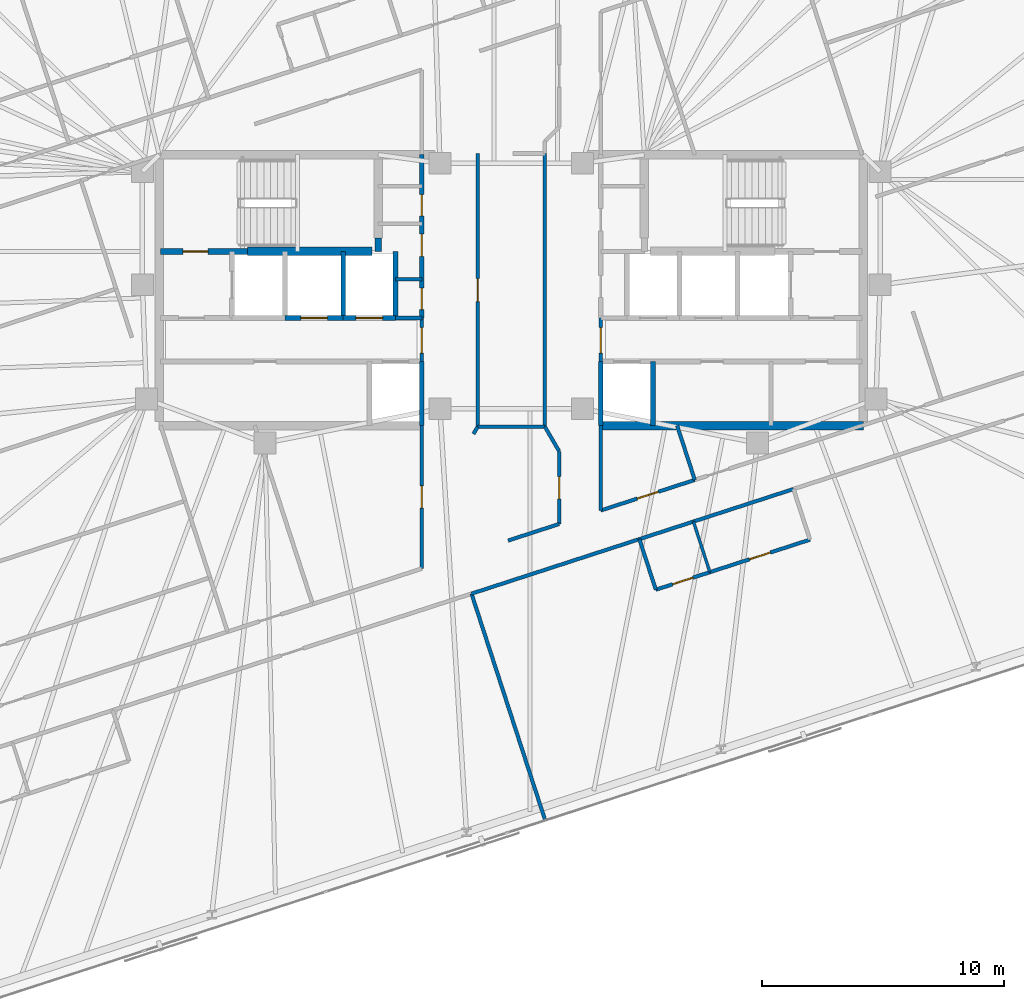
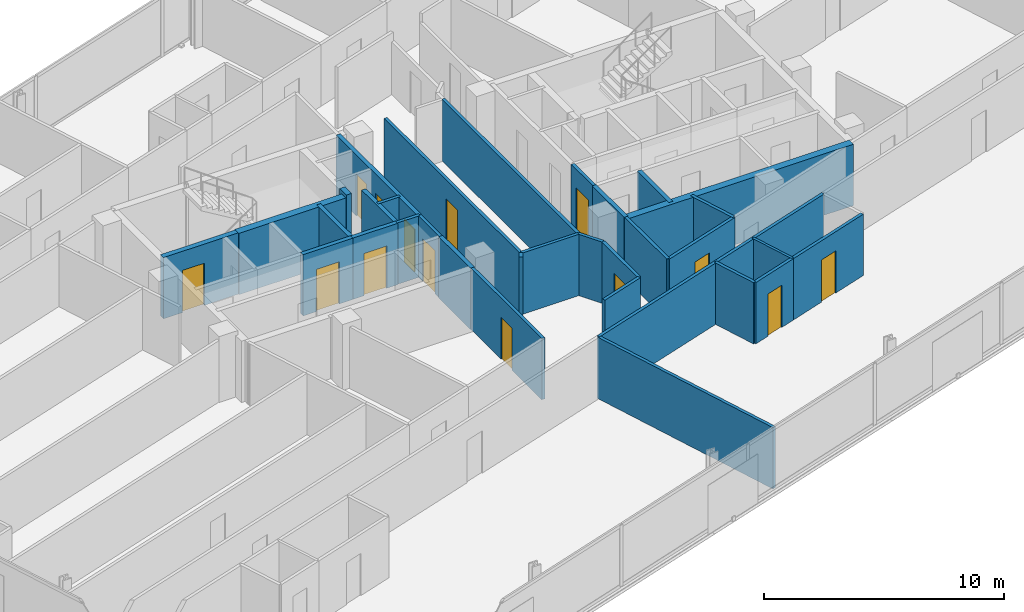
# One storey, part 14 of 19: 35 walls, 14 doors, 14 openings.
"""IFC4 building model written with IfcOpenShell, lengths in metres."""

from ifc_helpers import new_model, si_unit, direction, frame, frame_2d, origin, place, context, subcontext, project, spatial, rectangle, extrude, material, layer, layer_set, type_object, element, fill, save


model = new_model("IFC4")

# Units and contexts
model_context = context("Model", 3, precision=1e-05, world=origin(), true_north=direction((0.0, 1.0)))
body_context = subcontext(model_context, "Body", "Model", "MODEL_VIEW")
ifc_project = project(units=[si_unit("LENGTHUNIT", "METRE"), si_unit("AREAUNIT", "SQUARE_METRE"), si_unit("VOLUMEUNIT", "CUBIC_METRE"), si_unit("PLANEANGLEUNIT", "RADIAN"), si_unit("MASSUNIT", "GRAM", prefix="KILO")], contexts=[model_context])

# Site, building, storey
site_placement = place(None, origin())
site = spatial("IfcSite", under=ifc_project, at=site_placement, CompositionType="ELEMENT")
building_placement = place(site_placement, origin())
building = spatial("IfcBuilding", under=site, at=building_placement, Name="Menara Jurai Vektor", CompositionType="ELEMENT")
storey_placement = place(building_placement, frame((0.0, 0.0, 210.89990234375)))
storey = spatial("IfcBuildingStorey", under=building, at=storey_placement, Name="L55", CompositionType="ELEMENT", Elevation=210.89990234375)

# Wall, opening, door
ifc_material_1 = material(Name="Concrete C40/50", Category="concrete")
ifc_layer_1 = layer(ifc_material_1, 0.25)
ifc_layer_set_1 = layer_set([ifc_layer_1], Name="Concrete C40/50")
wall_type_1 = type_object("IfcWallType", Name="INT-WALL-CORE-250", PredefinedType="STANDARD", material=ifc_layer_set_1)
wall_1_placement = place(storey_placement, frame((-14.5, 1.60009765625, 0.0), z_axis=(0.0, 0.0, 1.0), x_axis=(1.0, 0.0, 0.0)))
wall_1 = element("IfcWall", 1, at=wall_1_placement, inside=storey, type_object=wall_type_1, Name="Interior Wall IW-250 L55", PredefinedType="STANDARD", context=body_context, shape_type="SweptSolid", body=[
    extrude(rectangle(XDim=3.60009765625, YDim=0.25, at=frame_2d((1.800048828125, 0.0))), origin(), (0.0, 0.0, 1.0), 3.125),
])
opening_1_placement = place(wall_1_placement, frame((0.919921875, 0.0, 0.0)))
opening_1 = element("IfcOpeningElement", 2, at=opening_1_placement, cuts=wall_1, Name="Opening D-L55-ST1", PredefinedType="OPENING", context=body_context, shape_type="SweptSolid", body=[
    extrude(rectangle(XDim=1.050048828125, YDim=2.14990234375, at=frame_2d((0.52490234375, 1.074951171875))), frame((0.0, 0.135009765625, 0.0), z_axis=(0.0, -1.0, 0.0), x_axis=(1.0, 0.0, 0.0)), (0.0, 0.0, 1.0), 0.27001953125),
])
ifc_material_2 = material(Name="Fire-Rated Steel Door", Category="steel")
door_type_1 = type_object("IfcDoorType", Name="DR-STAIR-1050", OperationType="NOTDEFINED", PredefinedType="DOOR", material=ifc_material_2)
door_1_placement = place(opening_1_placement, origin())
door_1 = element("IfcDoor", 3, at=door_1_placement, inside=storey, type_object=door_type_1, Name="Exit Stair ST1 Door L55", OperationType="SINGLE_SWING_RIGHT", OverallHeight=2.14990234375, OverallWidth=1.050048828125, PredefinedType="DOOR", context=body_context, shape_type="SweptSolid", body=[
    extrude(rectangle(XDim=1.050048828125, YDim=2.14990234375, at=frame_2d((0.52490234375, 1.074951171875))), frame((0.0, 0.02490234375, 0.0), z_axis=(0.0, -1.0, 0.0), x_axis=(1.0, 0.0, 0.0)), (0.0, 0.0, 1.0), 0.050048828125),
])
fill(opening_1, door_1)

# Wall
wall_2_placement = place(storey_placement, frame((-5.5, 1.60009765625, 0.0), z_axis=(0.0, 0.0, 1.0), x_axis=(0.0, 1.0, 0.0)))
element("IfcWall", 4, at=wall_2_placement, inside=storey, type_object=wall_type_1, Name="Interior Wall IW-250 L55", PredefinedType="STANDARD", context=body_context, shape_type="SweptSolid", body=[
    extrude(rectangle(XDim=0.5498046875, YDim=0.25, at=frame_2d((0.27490234375, 0.0))), origin(), (0.0, 0.0, 1.0), 3.125),
])

# Wall, opening, door
ifc_material_3 = material(Name="Gypsum Fireboard Partition", Category="gypsum")
ifc_layer_2 = layer(ifc_material_3, 0.14990234375)
ifc_layer_set_2 = layer_set([ifc_layer_2], Name="Gypsum Fireboard Partition")
wall_type_2 = type_object("IfcWallType", Name="INT-WALL-CORR-150", PredefinedType="PARTITIONING", material=ifc_layer_set_2)
wall_3_placement = place(storey_placement, frame((-3.699951171875, -2.949951171875, 0.0), z_axis=(0.0, 0.0, 1.0), x_axis=(0.0, 1.0, 0.0)))
wall_3 = element("IfcWall", 5, at=wall_3_placement, inside=storey, type_object=wall_type_2, Name="Interior Wall IW-150 L55", PredefinedType="PARTITIONING", context=body_context, shape_type="SweptSolid", body=[
    extrude(rectangle(XDim=1.800048828125, YDim=0.14990234375, at=frame_2d((0.89990234375, 0.0))), origin(), (0.0, 0.0, 1.0), 3.125),
])
opening_2_placement = place(wall_3_placement, frame((0.35009765625, 0.0, 0.0)))
opening_2 = element("IfcOpeningElement", 6, at=opening_2_placement, cuts=wall_3, Name="Opening D-L55-LLW", PredefinedType="OPENING", context=body_context, shape_type="SweptSolid", body=[
    extrude(rectangle(XDim=1.050048828125, YDim=2.179931640625, at=frame_2d((0.52490234375, 1.08984375))), frame((0.0, 0.0849609375, 0.0), z_axis=(0.0, -1.0, 0.0), x_axis=(1.0, 0.0, 0.0)), (0.0, 0.0, 1.0), 0.169921875),
])
ifc_material_4 = material(Name="Fire-Rated Timber Door", Category="wood")
door_type_2 = type_object("IfcDoorType", Name="DR-LOBBY-1050", OperationType="NOTDEFINED", PredefinedType="DOOR", material=ifc_material_4)
door_2_placement = place(opening_2_placement, origin())
door_2 = element("IfcDoor", 7, at=door_2_placement, inside=storey, type_object=door_type_2, Name="Lift Lobby Corridor Door W L55", OperationType="SINGLE_SWING_LEFT", OverallHeight=2.179931640625, OverallWidth=1.050048828125, PredefinedType="DOOR", context=body_context, shape_type="SweptSolid", body=[
    extrude(rectangle(XDim=1.050048828125, YDim=2.179931640625, at=frame_2d((0.52490234375, 1.08984375))), frame((0.0, 0.02490234375, 0.0), z_axis=(0.0, -1.0, 0.0), x_axis=(1.0, 0.0, 0.0)), (0.0, 0.0, 1.0), 0.050048828125),
])
fill(opening_2, door_2)

# Wall
wall_4_placement = place(storey_placement, frame((-4.7900390625, -1.14990234375, 0.0), z_axis=(0.0, 0.0, 1.0), x_axis=(1.0, 0.0, 0.0)))
element("IfcWall", 8, at=wall_4_placement, inside=storey, type_object=wall_type_2, Name="Interior Wall IW-150 L55", PredefinedType="PARTITIONING", context=body_context, shape_type="SweptSolid", body=[
    extrude(rectangle(XDim=1.090087890625, YDim=0.14990234375, at=frame_2d((0.544921875, 0.0))), origin(), (0.0, 0.0, 1.0), 3.125),
])

# Wall, opening, door
wall_5_placement = place(storey_placement, frame((3.699951171875, -2.949951171875, 0.0), z_axis=(0.0, 0.0, 1.0), x_axis=(0.0, 1.0, 0.0)))
wall_5 = element("IfcWall", 9, at=wall_5_placement, inside=storey, type_object=wall_type_2, Name="Interior Wall IW-150 L55", PredefinedType="PARTITIONING", context=body_context, shape_type="SweptSolid", body=[
    extrude(rectangle(XDim=1.800048828125, YDim=0.14990234375, at=frame_2d((0.89990234375, 0.0))), origin(), (0.0, 0.0, 1.0), 3.125),
])
opening_3_placement = place(wall_5_placement, frame((0.35009765625, 0.0, 0.0)))
opening_3 = element("IfcOpeningElement", 10, at=opening_3_placement, cuts=wall_5, Name="Opening D-L55-LLE", PredefinedType="OPENING", context=body_context, shape_type="SweptSolid", body=[
    extrude(rectangle(XDim=1.050048828125, YDim=2.179931640625, at=frame_2d((0.52490234375, 1.08984375))), frame((0.0, 0.0849609375, 0.0), z_axis=(0.0, -1.0, 0.0), x_axis=(1.0, 0.0, 0.0)), (0.0, 0.0, 1.0), 0.169921875),
])
door_3_placement = place(opening_3_placement, frame((1.050048828125, 0.0, 0.0), z_axis=(0.0, 0.0, 1.0), x_axis=(-1.0, 0.0, 0.0)))
door_3 = element("IfcDoor", 11, at=door_3_placement, inside=storey, type_object=door_type_2, Name="Lift Lobby Corridor Door E L55", OperationType="SINGLE_SWING_RIGHT", OverallHeight=2.179931640625, OverallWidth=1.050048828125, PredefinedType="DOOR", context=body_context, shape_type="SweptSolid", body=[
    extrude(rectangle(XDim=1.050048828125, YDim=2.179931640625, at=frame_2d((0.52490234375, 1.08984375))), frame((0.0, 0.02490234375, 0.0), z_axis=(0.0, -1.0, 0.0), x_axis=(1.0, 0.0, 0.0)), (0.0, 0.0, 1.0), 0.050048828125),
])
fill(opening_3, door_3)

# Wall
wall_6_placement = place(storey_placement, frame((-4.7900390625, 0.449951171875, 0.0), z_axis=(0.0, 0.0, 1.0), x_axis=(1.0, 0.0, 0.0)))
element("IfcWall", 12, at=wall_6_placement, inside=storey, type_object=wall_type_2, Name="Interior Wall IW-150 L55", PredefinedType="PARTITIONING", context=body_context, shape_type="SweptSolid", body=[
    extrude(rectangle(XDim=1.090087890625, YDim=0.14990234375, at=frame_2d((0.544921875, 0.0))), origin(), (0.0, 0.0, 1.0), 3.125),
])

# Wall, opening, door
wall_7_placement = place(storey_placement, frame((-1.390625, -5.650146484375, 0.0), z_axis=(0.0, 0.0, 1.0), x_axis=(-8.6422954e-05, 0.999999996266, 0.0)))
wall_7 = element("IfcWall", 13, at=wall_7_placement, inside=storey, type_object=wall_type_2, Name="Interior Wall IW-150 L55", PredefinedType="PARTITIONING", context=body_context, shape_type="SweptSolid", body=[
    extrude(rectangle(XDim=11.2998046875, YDim=0.14990234375, at=frame_2d((5.64990234375, 0.0))), origin(), (0.0, 0.0, 1.0), 3.125),
])
opening_4_placement = place(wall_7_placement, frame((5.1748046875, 0.0, 0.0)))
opening_4 = element("IfcOpeningElement", 14, at=opening_4_placement, cuts=wall_7, Name="Opening D55-09", PredefinedType="OPENING", context=body_context, shape_type="SweptSolid", body=[
    extrude(rectangle(XDim=0.949951171875, YDim=2.14990234375, at=frame_2d((0.47509765625, 1.074951171875))), frame((0.0, 0.0849609375, 0.0), z_axis=(0.0, -1.0, 0.0), x_axis=(1.0, 0.0, 0.0)), (0.0, 0.0, 1.0), 0.169921875),
])
ifc_material_5 = material(Name="Solid Core Timber Fire Door", Category="wood")
door_type_3 = type_object("IfcDoorType", Name="DR-ENTRY-950", OperationType="NOTDEFINED", PredefinedType="DOOR", material=ifc_material_5)
door_4_placement = place(opening_4_placement, origin())
door_4 = element("IfcDoor", 15, at=door_4_placement, inside=storey, type_object=door_type_3, Name="Interior Door D55-09", OperationType="SINGLE_SWING_LEFT", OverallHeight=2.14990234375, OverallWidth=0.949951171875, PredefinedType="DOOR", context=body_context, shape_type="SweptSolid", body=[
    extrude(rectangle(XDim=0.949951171875, YDim=2.14990234375, at=frame_2d((0.47509765625, 1.074951171875))), frame((0.0, 0.02490234375, 0.0), z_axis=(0.0, -1.0, 0.0), x_axis=(1.0, 0.0, 0.0)), (0.0, 0.0, 1.0), 0.050048828125),
])
fill(opening_4, door_4)

# Walls
wall_8_placement = place(storey_placement, frame((1.39111328125, -5.6484375, 0.0), z_axis=(0.0, 0.0, 1.0), x_axis=(-4.3218947e-05, 0.999999999066, 0.0)))
element("IfcWall", 16, at=wall_8_placement, inside=storey, type_object=wall_type_2, Name="Interior Wall IW-150 L55", PredefinedType="PARTITIONING", context=body_context, shape_type="SweptSolid", body=[
    extrude(rectangle(XDim=11.2978515625, YDim=0.14990234375, at=frame_2d((5.64892578125, 0.0))), origin(), (0.0, 0.0, 1.0), 3.125),
])
wall_9_placement = place(storey_placement, frame((-1.643310546875, -12.548828125, 0.0), z_axis=(0.0, 0.0, 1.0), x_axis=(0.951058161173, 0.309011931914, 0.0)))
element("IfcWall", 17, at=wall_9_placement, inside=storey, type_object=wall_type_2, Name="Interior Wall IW-150 L55", PredefinedType="PARTITIONING", context=body_context, shape_type="SweptSolid", body=[
    extrude(rectangle(XDim=7.297119140625, YDim=0.14990234375, at=frame_2d((3.6484375, 0.0))), origin(), (0.0, 0.0, 1.0), 3.125),
])
wall_10_placement = place(storey_placement, frame((5.296630859375, -10.2939453125, 0.0), z_axis=(0.0, 0.0, 1.0), x_axis=(0.951066131077, 0.308987401554, 0.0)))
element("IfcWall", 18, at=wall_10_placement, inside=storey, type_object=wall_type_2, Name="Interior Wall IW-150 L55", PredefinedType="PARTITIONING", context=body_context, shape_type="SweptSolid", body=[
    extrude(rectangle(XDim=2.349853515625, YDim=0.14990234375, at=frame_2d((1.1748046875, 0.0))), origin(), (0.0, 0.0, 1.0), 3.125),
])
wall_11_placement = place(storey_placement, frame((7.531494140625, -9.56787109375, 0.0), z_axis=(0.0, 0.0, 1.0), x_axis=(0.951041492154, 0.309063230101, 0.0)))
element("IfcWall", 19, at=wall_11_placement, inside=storey, type_object=wall_type_2, Name="Interior Wall IW-150 L55", PredefinedType="PARTITIONING", context=body_context, shape_type="SweptSolid", body=[
    extrude(rectangle(XDim=4.35009765625, YDim=0.14990234375, at=frame_2d((2.175048828125, 0.0))), origin(), (0.0, 0.0, 1.0), 3.125),
])
wall_12_placement = place(storey_placement, frame((3.700439453125, -9.109130859375, 0.0), z_axis=(0.0, 0.0, 1.0), x_axis=(-0.000139130433, 0.999999990321, 0.0)))
element("IfcWall", 20, at=wall_12_placement, inside=storey, type_object=wall_type_2, Name="Interior Wall IW-150 L55", PredefinedType="PARTITIONING", context=body_context, shape_type="SweptSolid", body=[
    extrude(rectangle(XDim=3.509521484375, YDim=0.14990234375, at=frame_2d((1.7548828125, 0.0))), origin(), (0.0, 0.0, 1.0), 3.125),
])

# Wall, opening, door
wall_13_placement = place(storey_placement, frame((3.700439453125, -9.109130859375, 0.0), z_axis=(0.0, 0.0, 1.0), x_axis=(0.95106259184, 0.308998295145, 0.0)))
wall_13 = element("IfcWall", 21, at=wall_13_placement, inside=storey, type_object=wall_type_2, Name="Interior Wall IW-150 L55", PredefinedType="PARTITIONING", context=body_context, shape_type="SweptSolid", body=[
    extrude(rectangle(XDim=4.087890625, YDim=0.14990234375, at=frame_2d((2.0439453125, 0.0))), origin(), (0.0, 0.0, 1.0), 3.125),
])
opening_5_placement = place(wall_13_placement, frame((1.583984375, 0.0, 0.0)))
opening_5 = element("IfcOpeningElement", 22, at=opening_5_placement, cuts=wall_13, Name="Opening D55-32", PredefinedType="OPENING", context=body_context, shape_type="SweptSolid", body=[
    extrude(rectangle(XDim=0.919921875, YDim=2.14990234375, at=frame_2d((0.4599609375, 1.074951171875))), frame((0.0, 0.0849609375, 0.0), z_axis=(0.0, -1.0, 0.0), x_axis=(1.0, 0.0, 0.0)), (0.0, 0.0, 1.0), 0.169921875),
])
door_5_placement = place(opening_5_placement, origin())
door_5 = element("IfcDoor", 23, at=door_5_placement, inside=storey, type_object=door_type_3, Name="Interior Door D55-32", OperationType="SINGLE_SWING_RIGHT", OverallHeight=2.14990234375, OverallWidth=0.919921875, PredefinedType="DOOR", context=body_context, shape_type="SweptSolid", body=[
    extrude(rectangle(XDim=0.919921875, YDim=2.14990234375, at=frame_2d((0.4599609375, 1.074951171875))), frame((0.0, 0.02490234375, 0.0), z_axis=(0.0, -1.0, 0.0), x_axis=(1.0, 0.0, 0.0)), (0.0, 0.0, 1.0), 0.050048828125),
])
fill(opening_5, door_5)

# Walls
wall_14_placement = place(storey_placement, frame((-0.12939453125, -10.353515625, 0.0), z_axis=(0.0, 0.0, 1.0), x_axis=(0.951066420845, 0.308986509643, 0.0)))
element("IfcWall", 24, at=wall_14_placement, inside=storey, type_object=wall_type_2, Name="Interior Wall IW-150 L55", PredefinedType="PARTITIONING", context=body_context, shape_type="SweptSolid", body=[
    extrude(rectangle(XDim=2.218017578125, YDim=0.14990234375, at=frame_2d((1.10888671875, 0.0))), origin(), (0.0, 0.0, 1.0), 3.125),
])
wall_15_placement = place(storey_placement, frame((-1.5625, -5.943603515625, 0.0), z_axis=(0.0, 0.0, 1.0), x_axis=(0.505387839696, 0.862892305845, 0.0)))
element("IfcWall", 25, at=wall_15_placement, inside=storey, type_object=wall_type_2, Name="Interior Wall IW-150 L55", PredefinedType="PARTITIONING", context=body_context, shape_type="SweptSolid", body=[
    extrude(rectangle(XDim=0.340087890625, YDim=0.14990234375, at=frame_2d((0.169921875, 0.0))), origin(), (0.0, 0.0, 1.0), 3.125),
])

# Wall, opening, door
wall_16_placement = place(storey_placement, frame((1.97998046875, -9.668212890625, 0.0), z_axis=(0.0, 0.0, 1.0), x_axis=(8.1241368e-05, 0.9999999967, 0.0)))
wall_16 = element("IfcWall", 26, at=wall_16_placement, inside=storey, type_object=wall_type_2, Name="Interior Wall IW-150 L55", PredefinedType="PARTITIONING", context=body_context, shape_type="SweptSolid", body=[
    extrude(rectangle(XDim=3.005126953125, YDim=0.14990234375, at=frame_2d((1.50244140625, 0.0))), origin(), (0.0, 0.0, 1.0), 3.125),
])
opening_6_placement = place(wall_16_placement, frame((1.04248046875, 0.0, 0.0)))
opening_6 = element("IfcOpeningElement", 27, at=opening_6_placement, cuts=wall_16, Name="Opening D55-34", PredefinedType="OPENING", context=body_context, shape_type="SweptSolid", body=[
    extrude(rectangle(XDim=0.919921875, YDim=2.14990234375, at=frame_2d((0.4599609375, 1.074951171875))), frame((0.0, 0.0849609375, 0.0), z_axis=(0.0, -1.0, 0.0), x_axis=(1.0, 0.0, 0.0)), (0.0, 0.0, 1.0), 0.169921875),
])
door_6_placement = place(opening_6_placement, origin())
door_6 = element("IfcDoor", 28, at=door_6_placement, inside=storey, type_object=door_type_3, Name="Interior Door D55-34", OperationType="SINGLE_SWING_RIGHT", OverallHeight=2.14990234375, OverallWidth=0.919921875, PredefinedType="DOOR", context=body_context, shape_type="SweptSolid", body=[
    extrude(rectangle(XDim=0.919921875, YDim=2.14990234375, at=frame_2d((0.4599609375, 1.074951171875))), frame((0.0, 0.02490234375, 0.0), z_axis=(0.0, -1.0, 0.0), x_axis=(1.0, 0.0, 0.0)), (0.0, 0.0, 1.0), 0.050048828125),
])
fill(opening_6, door_6)

# Wall
wall_17_placement = place(storey_placement, frame((1.391357421875, -5.6494140625, 0.0), z_axis=(0.0, 0.0, 1.0), x_axis=(0.502522642426, -0.864564048437, 0.0)))
element("IfcWall", 29, at=wall_17_placement, inside=storey, type_object=wall_type_2, Name="Interior Wall IW-150 L55", PredefinedType="PARTITIONING", context=body_context, shape_type="SweptSolid", body=[
    extrude(rectangle(XDim=1.17138671875, YDim=0.14990234375, at=frame_2d((0.585693359375, 0.0))), origin(), (0.0, 0.0, 1.0), 3.125),
])

# Wall, opening, door
wall_18_placement = place(storey_placement, frame((-3.69970703125, -11.513671875, 0.0), z_axis=(0.0, 0.0, 1.0), x_axis=(-8.2572974e-05, 0.999999996591, 0.0)))
wall_18 = element("IfcWall", 30, at=wall_18_placement, inside=storey, type_object=wall_type_2, Name="Interior Wall IW-150 L55", PredefinedType="PARTITIONING", context=body_context, shape_type="SweptSolid", body=[
    extrude(rectangle(XDim=5.913330078125, YDim=0.14990234375, at=frame_2d((2.95654296875, 0.0))), origin(), (0.0, 0.0, 1.0), 3.125),
])
opening_7_placement = place(wall_18_placement, frame((2.49658203125, 0.0, 0.0)))
opening_7 = element("IfcOpeningElement", 31, at=opening_7_placement, cuts=wall_18, Name="Opening D55-37", PredefinedType="OPENING", context=body_context, shape_type="SweptSolid", body=[
    extrude(rectangle(XDim=0.919921875, YDim=2.14990234375, at=frame_2d((0.4599609375, 1.074951171875))), frame((0.0, 0.0849609375, 0.0), z_axis=(0.0, -1.0, 0.0), x_axis=(1.0, 0.0, 0.0)), (0.0, 0.0, 1.0), 0.169921875),
])
door_7_placement = place(opening_7_placement, origin())
door_7 = element("IfcDoor", 32, at=door_7_placement, inside=storey, type_object=door_type_3, Name="Interior Door D55-37", OperationType="SINGLE_SWING_LEFT", OverallHeight=2.14990234375, OverallWidth=0.919921875, PredefinedType="DOOR", context=body_context, shape_type="SweptSolid", body=[
    extrude(rectangle(XDim=0.919921875, YDim=2.14990234375, at=frame_2d((0.4599609375, 1.074951171875))), frame((0.0, 0.02490234375, 0.0), z_axis=(0.0, -1.0, 0.0), x_axis=(1.0, 0.0, 0.0)), (0.0, 0.0, 1.0), 0.050048828125),
])
fill(opening_7, door_7)

# Walls
wall_19_placement = place(storey_placement, frame((-1.390625, -5.650146484375, 0.0), z_axis=(0.0, 0.0, 1.0), x_axis=(0.999999965344, 0.000263273356, 0.0)))
element("IfcWall", 33, at=wall_19_placement, inside=storey, type_object=wall_type_2, Name="Interior Wall IW-150 L55", PredefinedType="PARTITIONING", context=body_context, shape_type="SweptSolid", body=[
    extrude(rectangle(XDim=2.781982421875, YDim=0.14990234375, at=frame_2d((1.39111328125, 0.0))), origin(), (0.0, 0.0, 1.0), 3.125),
])
wall_20_placement = place(storey_placement, frame((1.404296875, -21.92822265625, 0.0), z_axis=(0.0, 0.0, 1.0), x_axis=(-0.309022258842, 0.95105480575, 0.0)))
element("IfcWall", 34, at=wall_20_placement, inside=storey, type_object=wall_type_2, Name="Interior Wall IW-150 L55", PredefinedType="PARTITIONING", context=body_context, shape_type="SweptSolid", body=[
    extrude(rectangle(XDim=9.862060546875, YDim=0.14990234375, at=frame_2d((4.93115234375, 0.0))), origin(), (0.0, 0.0, 1.0), 3.125),
])
wall_21_placement = place(storey_placement, frame((5.9765625, -12.38623046875, 0.0), z_axis=(0.0, 0.0, 1.0), x_axis=(-0.309060979314, 0.951042223598, 0.0)))
element("IfcWall", 35, at=wall_21_placement, inside=storey, type_object=wall_type_2, Name="Interior Wall IW-150 L55", PredefinedType="PARTITIONING", context=body_context, shape_type="SweptSolid", body=[
    extrude(rectangle(XDim=2.199951171875, YDim=0.14990234375, at=frame_2d((1.10009765625, 0.0))), origin(), (0.0, 0.0, 1.0), 3.125),
])

# Wall, opening, door
wall_22_placement = place(storey_placement, frame((5.9765625, -12.38623046875, 0.0), z_axis=(0.0, 0.0, 1.0), x_axis=(0.951066131077, 0.308987401554, 0.0)))
wall_22 = element("IfcWall", 36, at=wall_22_placement, inside=storey, type_object=wall_type_2, Name="Interior Wall IW-150 L55", PredefinedType="PARTITIONING", context=body_context, shape_type="SweptSolid", body=[
    extrude(rectangle(XDim=2.349853515625, YDim=0.14990234375, at=frame_2d((1.1748046875, 0.0))), origin(), (0.0, 0.0, 1.0), 3.125),
])
opening_8_placement = place(wall_22_placement, frame((0.735107421875, 0.0, 0.0)))
opening_8 = element("IfcOpeningElement", 37, at=opening_8_placement, cuts=wall_22, Name="Opening D55-23", PredefinedType="OPENING", context=body_context, shape_type="SweptSolid", body=[
    extrude(rectangle(XDim=0.8798828125, YDim=2.14990234375, at=frame_2d((0.43994140625, 1.074951171875))), frame((0.0, 0.0849609375, 0.0), z_axis=(0.0, -1.0, 0.0), x_axis=(1.0, 0.0, 0.0)), (0.0, 0.0, 1.0), 0.169921875),
])
ifc_material_6 = material(Name="Moisture-Resistant Timber Door", Category="wood")
door_type_4 = type_object("IfcDoorType", Name="DR-BATH-880", OperationType="NOTDEFINED", PredefinedType="DOOR", material=ifc_material_6)
door_8_placement = place(opening_8_placement, origin())
door_8 = element("IfcDoor", 38, at=door_8_placement, inside=storey, type_object=door_type_4, Name="Interior Door D55-23", OperationType="SINGLE_SWING_LEFT", OverallHeight=2.14990234375, OverallWidth=0.8798828125, PredefinedType="DOOR", context=body_context, shape_type="SweptSolid", body=[
    extrude(rectangle(XDim=0.8798828125, YDim=2.14990234375, at=frame_2d((0.43994140625, 1.074951171875))), frame((0.0, 0.02490234375, 0.0), z_axis=(0.0, -1.0, 0.0), x_axis=(1.0, 0.0, 0.0)), (0.0, 0.0, 1.0), 0.050048828125),
])
fill(opening_8, door_8)

wall_23_placement = place(storey_placement, frame((8.21142578125, -11.66015625, 0.0), z_axis=(0.0, 0.0, 1.0), x_axis=(0.951057987102, 0.309012467661, 0.0)))
wall_23 = element("IfcWall", 39, at=wall_23_placement, inside=storey, type_object=wall_type_2, Name="Interior Wall IW-150 L55", PredefinedType="PARTITIONING", context=body_context, shape_type="SweptSolid", body=[
    extrude(rectangle(XDim=4.35009765625, YDim=0.14990234375, at=frame_2d((2.175048828125, 0.0))), origin(), (0.0, 0.0, 1.0), 3.125),
])
opening_9_placement = place(wall_23_placement, frame((1.72509765625, 0.0, 0.0)))
opening_9 = element("IfcOpeningElement", 40, at=opening_9_placement, cuts=wall_23, Name="Opening D55-24", PredefinedType="OPENING", context=body_context, shape_type="SweptSolid", body=[
    extrude(rectangle(XDim=0.89990234375, YDim=2.14990234375, at=frame_2d((0.449951171875, 1.074951171875))), frame((0.0, 0.0849609375, 0.0), z_axis=(0.0, -1.0, 0.0), x_axis=(1.0, 0.0, 0.0)), (0.0, 0.0, 1.0), 0.169921875),
])
ifc_material_7 = material(Name="Acoustic Timber Interior Door", Category="wood")
door_type_5 = type_object("IfcDoorType", Name="DR-ROOM-900", OperationType="NOTDEFINED", PredefinedType="DOOR", material=ifc_material_7)
door_9_placement = place(opening_9_placement, origin())
door_9 = element("IfcDoor", 41, at=door_9_placement, inside=storey, type_object=door_type_5, Name="Interior Door D55-24", OperationType="SINGLE_SWING_RIGHT", OverallHeight=2.14990234375, OverallWidth=0.89990234375, PredefinedType="DOOR", context=body_context, shape_type="SweptSolid", body=[
    extrude(rectangle(XDim=0.89990234375, YDim=2.14990234375, at=frame_2d((0.449951171875, 1.074951171875))), frame((0.0, 0.02490234375, 0.0), z_axis=(0.0, -1.0, 0.0), x_axis=(1.0, 0.0, 0.0)), (0.0, 0.0, 1.0), 0.050048828125),
])
fill(opening_9, door_9)

# Walls
wall_24_placement = place(storey_placement, frame((7.58837890625, -7.845947265625, 0.0), z_axis=(0.0, 0.0, 1.0), x_axis=(-0.309055688452, 0.951043942957, 0.0)))
element("IfcWall", 42, at=wall_24_placement, inside=storey, type_object=wall_type_2, Name="Interior Wall IW-150 L55", PredefinedType="PARTITIONING", context=body_context, shape_type="SweptSolid", body=[
    extrude(rectangle(XDim=2.362060546875, YDim=0.14990234375, at=frame_2d((1.18115234375, 0.0))), origin(), (0.0, 0.0, 1.0), 3.125),
])
ifc_material_8 = material(Name="Gypsum Acoustic Stud Partition", Category="gypsum")
ifc_layer_3 = layer(ifc_material_8, 0.1201171875)
ifc_layer_set_3 = layer_set([ifc_layer_3], Name="Gypsum Acoustic Stud Partition")
wall_type_3 = type_object("IfcWallType", Name="INT-WALL-PART-120", PredefinedType="PARTITIONING", material=ifc_layer_set_3)
wall_25_placement = place(storey_placement, frame((8.21142578125, -11.66015625, 0.0), z_axis=(0.0, 0.0, 1.0), x_axis=(-0.309060979314, 0.951042223598, 0.0)))
element("IfcWall", 43, at=wall_25_placement, inside=storey, type_object=wall_type_3, Name="Interior Wall IW-120 L55", PredefinedType="PARTITIONING", context=body_context, shape_type="SweptSolid", body=[
    extrude(rectangle(XDim=2.199951171875, YDim=0.1201171875, at=frame_2d((1.10009765625, 0.0))), origin(), (0.0, 0.0, 1.0), 3.125),
])

# Wall, openings, doors
ifc_layer_4 = layer(ifc_material_1, 0.199951171875)
ifc_layer_set_4 = layer_set([ifc_layer_4], Name="Concrete C40/50")
wall_type_4 = type_object("IfcWallType", Name="INT-WALL-SHAFT-200", PredefinedType="STANDARD", material=ifc_layer_set_4)
wall_26_placement = place(storey_placement, frame((-3.699951171875, -1.14990234375, 0.0), z_axis=(0.0, 0.0, 1.0), x_axis=(0.0, 1.0, 0.0)))
wall_26 = element("IfcWall", 44, at=wall_26_placement, inside=storey, type_object=wall_type_4, Name="Interior Wall IW-200 L55", PredefinedType="STANDARD", context=body_context, shape_type="SweptSolid", body=[
    extrude(rectangle(XDim=6.75, YDim=0.199951171875, at=frame_2d((3.375, 0.0))), origin(), (0.0, 0.0, 1.0), 3.125),
])
opening_10_placement = place(wall_26_placement, frame((0.35009765625, 0.0, 0.0)))
opening_10 = element("IfcOpeningElement", 45, at=opening_10_placement, cuts=wall_26, Name="Opening D55-02", PredefinedType="OPENING", context=body_context, shape_type="SweptSolid", body=[
    extrude(rectangle(XDim=0.8798828125, YDim=2.14990234375, at=frame_2d((0.43994140625, 1.074951171875))), frame((0.0, 0.10986328125, 0.0), z_axis=(0.0, -1.0, 0.0), x_axis=(1.0, 0.0, 0.0)), (0.0, 0.0, 1.0), 0.219970703125),
])
opening_11_placement = place(wall_26_placement, frame((2.550048828125, 0.0, 0.0)))
opening_11 = element("IfcOpeningElement", 46, at=opening_11_placement, cuts=wall_26, Name="Opening D55-03", PredefinedType="OPENING", context=body_context, shape_type="SweptSolid", body=[
    extrude(rectangle(XDim=0.919921875, YDim=2.14990234375, at=frame_2d((0.4599609375, 1.074951171875))), frame((0.0, 0.10986328125, 0.0), z_axis=(0.0, -1.0, 0.0), x_axis=(1.0, 0.0, 0.0)), (0.0, 0.0, 1.0), 0.219970703125),
])
opening_12_placement = place(wall_26_placement, frame((4.219970703125, 0.0, 0.0)))
opening_12 = element("IfcOpeningElement", 47, at=opening_12_placement, cuts=wall_26, Name="Opening D55-04", PredefinedType="OPENING", context=body_context, shape_type="SweptSolid", body=[
    extrude(rectangle(XDim=0.8798828125, YDim=2.14990234375, at=frame_2d((0.43994140625, 1.074951171875))), frame((0.0, 0.10986328125, 0.0), z_axis=(0.0, -1.0, 0.0), x_axis=(1.0, 0.0, 0.0)), (0.0, 0.0, 1.0), 0.219970703125),
])
door_10_placement = place(opening_10_placement, origin())
door_10 = element("IfcDoor", 48, at=door_10_placement, inside=storey, type_object=door_type_3, Name="Interior Door D55-02", OperationType="SINGLE_SWING_LEFT", OverallHeight=2.14990234375, OverallWidth=0.8798828125, PredefinedType="DOOR", context=body_context, shape_type="SweptSolid", body=[
    extrude(rectangle(XDim=0.8798828125, YDim=2.14990234375, at=frame_2d((0.43994140625, 1.074951171875))), frame((0.0, 0.02490234375, 0.0), z_axis=(0.0, -1.0, 0.0), x_axis=(1.0, 0.0, 0.0)), (0.0, 0.0, 1.0), 0.050048828125),
])
fill(opening_10, door_10)
door_11_placement = place(opening_11_placement, origin())
door_11 = element("IfcDoor", 49, at=door_11_placement, inside=storey, type_object=door_type_3, Name="Interior Door D55-03", OperationType="SINGLE_SWING_LEFT", OverallHeight=2.14990234375, OverallWidth=0.919921875, PredefinedType="DOOR", context=body_context, shape_type="SweptSolid", body=[
    extrude(rectangle(XDim=0.919921875, YDim=2.14990234375, at=frame_2d((0.4599609375, 1.074951171875))), frame((0.0, 0.02490234375, 0.0), z_axis=(0.0, -1.0, 0.0), x_axis=(1.0, 0.0, 0.0)), (0.0, 0.0, 1.0), 0.050048828125),
])
fill(opening_11, door_11)
door_12_placement = place(opening_12_placement, origin())
door_12 = element("IfcDoor", 50, at=door_12_placement, inside=storey, type_object=door_type_3, Name="Interior Door D55-04", OperationType="SINGLE_SWING_LEFT", OverallHeight=2.14990234375, OverallWidth=0.8798828125, PredefinedType="DOOR", context=body_context, shape_type="SweptSolid", body=[
    extrude(rectangle(XDim=0.8798828125, YDim=2.14990234375, at=frame_2d((0.43994140625, 1.074951171875))), frame((0.0, 0.02490234375, 0.0), z_axis=(0.0, -1.0, 0.0), x_axis=(1.0, 0.0, 0.0)), (0.0, 0.0, 1.0), 0.050048828125),
])
fill(opening_12, door_12)

# Walls
wall_27_placement = place(storey_placement, frame((-3.699951171875, -5.60009765625, 0.0), z_axis=(0.0, 0.0, 1.0), x_axis=(0.0, 1.0, 0.0)))
element("IfcWall", 51, at=wall_27_placement, inside=storey, type_object=wall_type_4, Name="Interior Wall IW-200 L55", PredefinedType="STANDARD", context=body_context, shape_type="SweptSolid", body=[
    extrude(rectangle(XDim=2.650146484375, YDim=0.199951171875, at=frame_2d((1.3251953125, 0.0))), origin(), (0.0, 0.0, 1.0), 3.125),
])
wall_28_placement = place(storey_placement, frame((-6.949951171875, -1.14990234375, 0.0), z_axis=(0.0, 0.0, 1.0), x_axis=(0.0, 1.0, 0.0)))
element("IfcWall", 52, at=wall_28_placement, inside=storey, type_object=wall_type_4, Name="Interior Wall IW-200 L55", PredefinedType="STANDARD", context=body_context, shape_type="SweptSolid", body=[
    extrude(rectangle(XDim=2.75, YDim=0.199951171875, at=frame_2d((1.375, 0.0))), origin(), (0.0, 0.0, 1.0), 3.125),
])

# Wall, opening, door
wall_29_placement = place(storey_placement, frame((-9.35009765625, -1.14990234375, 0.0), z_axis=(0.0, 0.0, 1.0), x_axis=(1.0, 0.0, 0.0)))
wall_29 = element("IfcWall", 53, at=wall_29_placement, inside=storey, type_object=wall_type_4, Name="Interior Wall IW-200 L55", PredefinedType="STANDARD", context=body_context, shape_type="SweptSolid", body=[
    extrude(rectangle(XDim=2.400146484375, YDim=0.199951171875, at=frame_2d((1.2001953125, 0.0))), origin(), (0.0, 0.0, 1.0), 3.125),
])
opening_13_placement = place(wall_29_placement, frame((0.64990234375, 0.0, 0.0)))
opening_13 = element("IfcOpeningElement", 54, at=opening_13_placement, cuts=wall_29, Name="Opening LD-L55-SVL1", PredefinedType="OPENING", context=body_context, shape_type="SweptSolid", body=[
    extrude(rectangle(XDim=1.10009765625, YDim=2.14990234375, at=frame_2d((0.550048828125, 1.074951171875))), frame((0.0, 0.10986328125, 0.0), z_axis=(0.0, -1.0, 0.0), x_axis=(1.0, 0.0, 0.0)), (0.0, 0.0, 1.0), 0.219970703125),
])
ifc_material_9 = material(Name="Anodised Stainless Sliding Lift Landing Door", Category="steel")
door_type_6 = type_object("IfcDoorType", Name="DR-LIFT-PASS-1100", OperationType="NOTDEFINED", PredefinedType="DOOR", material=ifc_material_9)
door_13_placement = place(opening_13_placement, origin())
door_13 = element("IfcDoor", 55, at=door_13_placement, inside=storey, type_object=door_type_6, Name="Lift Landing Door SVL1 L55", OperationType="SLIDING_TO_RIGHT", OverallHeight=2.14990234375, OverallWidth=1.10009765625, PredefinedType="DOOR", context=body_context, shape_type="SweptSolid", body=[
    extrude(rectangle(XDim=1.10009765625, YDim=2.14990234375, at=frame_2d((0.550048828125, 1.074951171875))), frame((0.0, 0.02490234375, 0.0), z_axis=(0.0, -1.0, 0.0), x_axis=(1.0, 0.0, 0.0)), (0.0, 0.0, 1.0), 0.050048828125),
])
fill(opening_13, door_13)

# Wall
wall_30_placement = place(storey_placement, frame((-4.7900390625, -1.14990234375, 0.0), z_axis=(0.0, 0.0, 1.0), x_axis=(0.0, 1.0, 0.0)))
element("IfcWall", 56, at=wall_30_placement, inside=storey, type_object=wall_type_4, Name="Interior Wall IW-200 L55", PredefinedType="STANDARD", context=body_context, shape_type="SweptSolid", body=[
    extrude(rectangle(XDim=2.75, YDim=0.199951171875, at=frame_2d((1.375, 0.0))), origin(), (0.0, 0.0, 1.0), 3.125),
])

# Wall, opening, door
wall_31_placement = place(storey_placement, frame((-6.949951171875, -1.14990234375, 0.0), z_axis=(0.0, 0.0, 1.0), x_axis=(1.0, 0.0, 0.0)))
wall_31 = element("IfcWall", 57, at=wall_31_placement, inside=storey, type_object=wall_type_4, Name="Interior Wall IW-200 L55", PredefinedType="STANDARD", context=body_context, shape_type="SweptSolid", body=[
    extrude(rectangle(XDim=2.159912109375, YDim=0.199951171875, at=frame_2d((1.080078125, 0.0))), origin(), (0.0, 0.0, 1.0), 3.125),
])
opening_14_placement = place(wall_31_placement, frame((0.530029296875, 0.0, 0.0)))
opening_14 = element("IfcOpeningElement", 58, at=opening_14_placement, cuts=wall_31, Name="Opening LD-L55-PH2", PredefinedType="OPENING", context=body_context, shape_type="SweptSolid", body=[
    extrude(rectangle(XDim=1.10009765625, YDim=2.14990234375, at=frame_2d((0.550048828125, 1.074951171875))), frame((0.0, 0.10986328125, 0.0), z_axis=(0.0, -1.0, 0.0), x_axis=(1.0, 0.0, 0.0)), (0.0, 0.0, 1.0), 0.219970703125),
])
door_14_placement = place(opening_14_placement, origin())
door_14 = element("IfcDoor", 59, at=door_14_placement, inside=storey, type_object=door_type_6, Name="Lift Landing Door PH2 L55", OperationType="SLIDING_TO_RIGHT", OverallHeight=2.14990234375, OverallWidth=1.10009765625, PredefinedType="DOOR", context=body_context, shape_type="SweptSolid", body=[
    extrude(rectangle(XDim=1.10009765625, YDim=2.14990234375, at=frame_2d((0.550048828125, 1.074951171875))), frame((0.0, 0.02490234375, 0.0), z_axis=(0.0, -1.0, 0.0), x_axis=(1.0, 0.0, 0.0)), (0.0, 0.0, 1.0), 0.050048828125),
])
fill(opening_14, door_14)

# Walls
for number, where, z_axis, x_axis, name in (
    (60, (3.699951171875, -5.60009765625, 0.0), (0.0, 0.0, 1.0), (0.0, 1.0, 0.0), "Interior Wall IW-200 L55"),
    (61, (5.860107421875, -5.60009765625, 0.0), (0.0, 0.0, 1.0), (0.0, 1.0, 0.0), "Interior Wall IW-200 L55"),
):
    element("IfcWall", number, at=place(storey_placement, frame(where, z_axis=z_axis, x_axis=x_axis)), inside=storey, type_object=wall_type_4, Name=name, PredefinedType="STANDARD", context=body_context, shape_type="SweptSolid", body=[
        extrude(rectangle(XDim=2.650146484375, YDim=0.199951171875, at=frame_2d((1.3251953125, 0.0))), origin(), (0.0, 0.0, 1.0), 3.125),
    ])
ifc_material_10 = material(Name="Concrete C50/60", Category="concrete")
ifc_layer_5 = layer(ifc_material_10, 0.35009765625)
ifc_layer_set_5 = layer_set([ifc_layer_5], Name="Concrete C50/60")
wall_type_5 = type_object("IfcWallType", Name="STR-WALL-CORE350", PredefinedType="SHEAR", material=ifc_layer_set_5)
wall_32_placement = place(storey_placement, frame((-10.89990234375, 1.60009765625, 0.0), z_axis=(0.0, 0.0, 1.0), x_axis=(1.0, 0.0, 0.0)))
element("IfcWall", 62, at=wall_32_placement, inside=storey, type_object=wall_type_5, Name="Core Shear Wall CW-W-STS L55", PredefinedType="SHEAR", context=body_context, shape_type="SweptSolid", body=[
    extrude(rectangle(XDim=5.14990234375, YDim=0.35009765625, at=frame_2d((2.574951171875, 0.0))), origin(), (0.0, 0.0, 1.0), 3.125),
])
wall_33_placement = place(storey_placement, frame((3.699951171875, -5.60009765625, 0.0), z_axis=(0.0, 0.0, 1.0), x_axis=(1.0, 0.0, 0.0)))
element("IfcWall", 63, at=wall_33_placement, inside=storey, type_object=wall_type_5, Name="Core Shear Wall CW-E-S L55", PredefinedType="SHEAR", context=body_context, shape_type="SweptSolid", body=[
    extrude(rectangle(XDim=10.860107421875, YDim=0.35009765625, at=frame_2d((5.43017578125, 0.0))), origin(), (0.0, 0.0, 1.0), 3.125),
])

save(model, "model.ifc")
